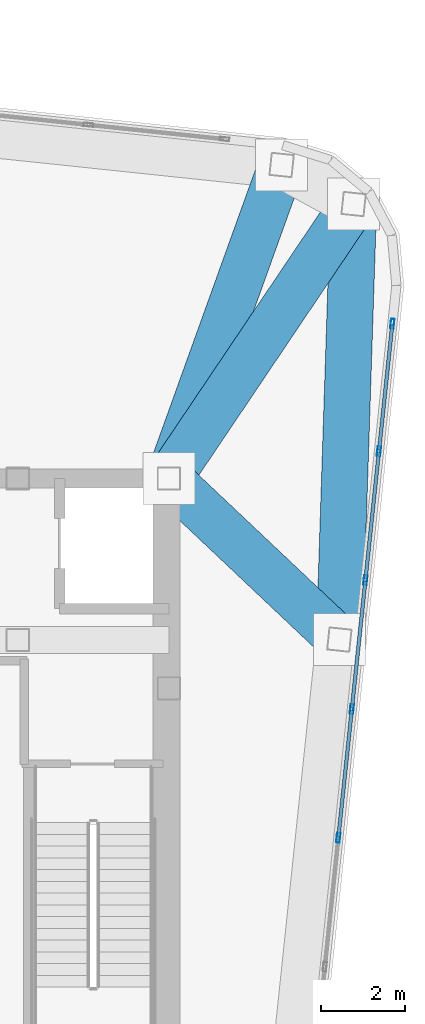
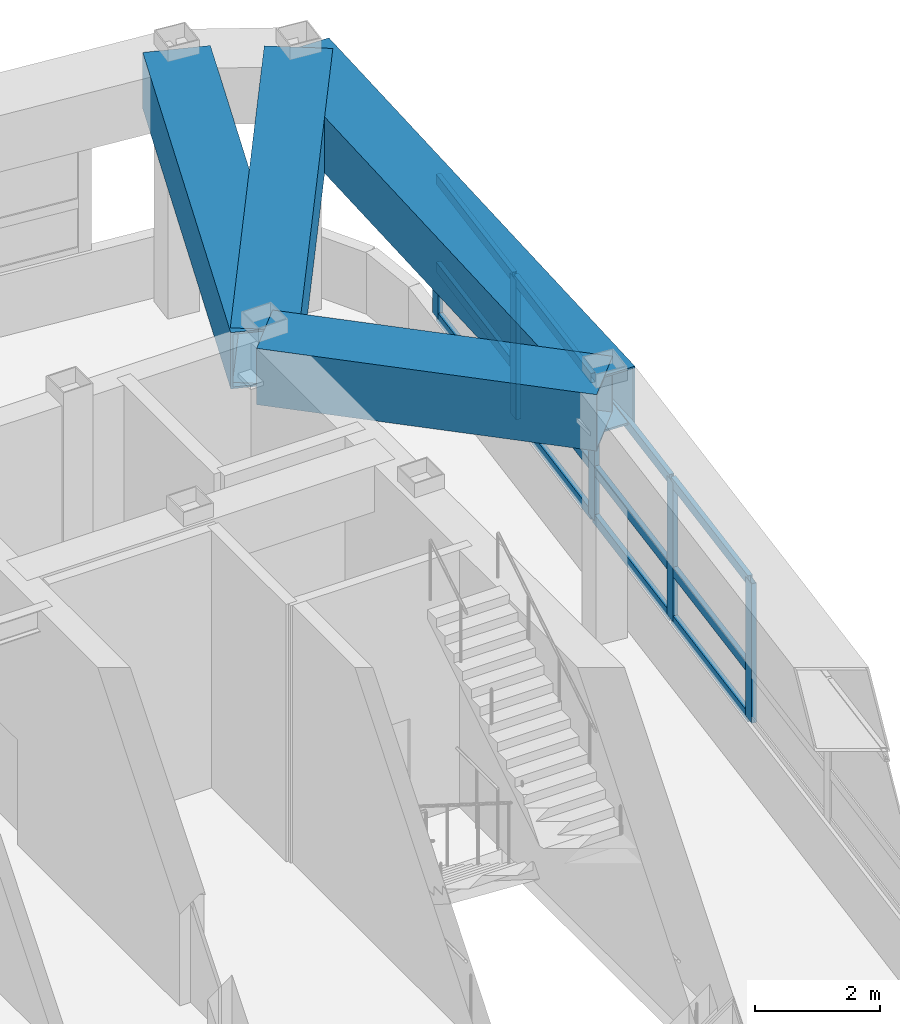
# One storey, part 13 of 23: 17 members, 4 beams, 1 element without a shape of its own.
"""IFC4 building model written with IfcOpenShell, lengths in metres."""

from ifc_helpers import new_model, si_unit, direction, frame, origin, origin_2d, place, context, subcontext, project, spatial, hollow_rectangle, extrude, material, layer, layer_set, material_profile, profile_set, type_object, element, aggregate, save


model = new_model("IFC4")

# Units and contexts
model_context = context("Model", 3, precision=1e-05, world=origin(), true_north=direction((0.0, 1.0)))
body_context = subcontext(model_context, "Body", "Model", "MODEL_VIEW")
ifc_project = project(units=[si_unit("LENGTHUNIT", "METRE"), si_unit("AREAUNIT", "SQUARE_METRE"), si_unit("VOLUMEUNIT", "CUBIC_METRE"), si_unit("PLANEANGLEUNIT", "RADIAN"), si_unit("MASSUNIT", "GRAM", prefix="KILO")], contexts=[model_context])

# Site, building, storey
site_placement = place(None, origin())
site = spatial("IfcSite", under=ifc_project, at=site_placement, CompositionType="ELEMENT")
building_placement = place(site_placement, origin())
building = spatial("IfcBuilding", under=site, at=building_placement, Name="Voryun Gate Residences", CompositionType="ELEMENT")
storey_placement = place(building_placement, frame((0.0, 0.0, 316.0)))
storey = spatial("IfcBuildingStorey", under=building, at=storey_placement, Name="L78", CompositionType="ELEMENT", Elevation=316.0)

# Beams
ifc_material_1 = material(Name="Steel SM420", Category="steel")
ifc_material_profile_1 = material_profile(ifc_material_1, hollow_rectangle(XDim=1.10009765625, YDim=1.10009765625, WallThickness=0.035888671875, at=origin_2d()), Name="BOX-1100x1100x36")
ifc_profile_set_1 = profile_set([ifc_material_profile_1], Name="Steel SM420")
beam_type = type_object("IfcBeamType", Name="BM_ARCH_RIB", PredefinedType="USERDEFINED", material=ifc_profile_set_1)
beam_1_placement = place(storey_placement, frame((23.263916015625, 3.56201171875, 4.47509765625), z_axis=(0.032727694972, 0.999464305507, 0.0), x_axis=(-0.999464305507, 0.032727694972, 0.0)))
element("IfcBeam", 1, at=beam_1_placement, inside=storey, type_object=beam_type, Name="BM-L78-SPAND-09", ObjectType="GIRDER", PredefinedType="USERDEFINED", context=body_context, shape_type="SweptSolid", body=[
    extrude(hollow_rectangle(XDim=1.10009765625, YDim=1.10009765625, WallThickness=0.035888671875, at=origin_2d()), origin(), (0.0, 0.0, 1.0), 10.384033203125),
])
beam_2_placement = place(storey_placement, frame((19.199951171875, 7.39990234375, 4.47509765625), z_axis=(0.727039799683, -0.686595317255, 0.0), x_axis=(0.686595317255, 0.727039799683, 0.0)))
element("IfcBeam", 2, at=beam_2_placement, inside=storey, type_object=beam_type, Name="BM-L78-RAD-E2", ObjectType="GIRDER", PredefinedType="USERDEFINED", context=body_context, shape_type="SweptSolid", body=[
    extrude(hollow_rectangle(XDim=1.10009765625, YDim=1.10009765625, WallThickness=0.035888671875, at=origin_2d()), origin(), (0.0, 0.0, 1.0), 5.58984375),
])
beam_3_placement = place(storey_placement, frame((19.199951171875, 7.39990234375, 4.47509765625), z_axis=(0.558509953657, 0.829497818964, 0.0), x_axis=(-0.829497818964, 0.558509953657, 0.0)))
element("IfcBeam", 3, at=beam_3_placement, inside=storey, type_object=beam_type, Name="BM-L78-RAD-CNE", ObjectType="GIRDER", PredefinedType="USERDEFINED", context=body_context, shape_type="SweptSolid", body=[
    extrude(hollow_rectangle(XDim=1.10009765625, YDim=1.10009765625, WallThickness=0.035888671875, at=origin_2d()), origin(), (0.0, 0.0, 1.0), 7.885009765625),
])
beam_4_placement = place(storey_placement, frame((19.199951171875, 7.39990234375, 4.47509765625), z_axis=(0.338588822794, 0.940934433996, 0.0), x_axis=(-0.940934433996, 0.338588822794, 0.0)))
element("IfcBeam", 4, at=beam_4_placement, inside=storey, type_object=beam_type, Name="BM-L78-RAD-N1", ObjectType="GIRDER", PredefinedType="USERDEFINED", context=body_context, shape_type="SweptSolid", body=[
    extrude(hollow_rectangle(XDim=1.10009765625, YDim=1.10009765625, WallThickness=0.035888671875, at=origin_2d()), origin(), (0.0, 0.0, 1.0), 7.94091796875),
])

# Curtain wall, members
ifc_material_2 = material(Name="Anodised aluminium", Category="aluminium")
ifc_layer = layer(ifc_material_2, 0.22998046875, Name="CW_SYS_LANTERN_DARK_GLASS")
ifc_layer_set = layer_set([ifc_layer], Name="Anodised aluminium")
curtain_wall_type = type_object("IfcCurtainWallType", Name="CW_SYS_LANTERN_DARK_GLASS", PredefinedType="NOTDEFINED", material=ifc_layer_set)
curtain_wall_placement = place(storey_placement, origin())
curtain_wall = element("IfcCurtainWall", 5, at=curtain_wall_placement, inside=storey, type_object=curtain_wall_type, Name="Curtain wall CW6-L78-16", PredefinedType="NOTDEFINED")
ifc_material_3 = material(Name="Anodised aluminium", Category="aluminium")
ifc_material_profile_2 = material_profile(ifc_material_3, hollow_rectangle(XDim=0.0849609375, YDim=0.22998046875, WallThickness=0.006103515625, at=origin_2d()), Name="ALU-MULL-230x85x6")
ifc_profile_set_2 = profile_set([ifc_material_profile_2], Name="Anodised aluminium")
member_type_1 = type_object("IfcMemberType", Name="CW_MULL_LANT", PredefinedType="MULLION", material=ifc_profile_set_2)
member_1_placement = place(storey_placement, frame((24.52783203125, 11.090576171875, 1.18994140625), z_axis=(0.0, 0.0, 1.0), x_axis=(0.994521943608, -0.104528004296, 0.0)))
member_1 = element("IfcMember", 6, at=member_1_placement, type_object=member_type_1, Name="CW6 mullion 1", PredefinedType="MULLION", context=body_context, shape_type="SweptSolid", body=[
    extrude(hollow_rectangle(XDim=0.0849609375, YDim=0.22998046875, WallThickness=0.006103515625, at=origin_2d()), origin(), (0.0, 0.0, 1.0), 2.72509765625),
])
member_2_placement = place(storey_placement, frame((24.208251953125, 8.04931640625, 1.18994140625), z_axis=(0.0, 0.0, 1.0), x_axis=(0.994521943608, -0.104528004296, 0.0)))
member_2 = element("IfcMember", 7, at=member_2_placement, type_object=member_type_1, Name="CW6 mullion 2", PredefinedType="MULLION", context=body_context, shape_type="SweptSolid", body=[
    extrude(hollow_rectangle(XDim=0.0849609375, YDim=0.22998046875, WallThickness=0.006103515625, at=origin_2d()), origin(), (0.0, 0.0, 1.0), 2.72509765625),
])
member_3_placement = place(storey_placement, frame((23.885498046875, 4.978515625, 1.18994140625), z_axis=(0.0, 0.0, 1.0), x_axis=(0.994521943608, -0.104528004296, 0.0)))
member_3 = element("IfcMember", 8, at=member_3_placement, type_object=member_type_1, Name="CW6 mullion 3", PredefinedType="MULLION", context=body_context, shape_type="SweptSolid", body=[
    extrude(hollow_rectangle(XDim=0.0849609375, YDim=0.22998046875, WallThickness=0.006103515625, at=origin_2d()), origin(), (0.0, 0.0, 1.0), 2.72509765625),
])
member_4_placement = place(storey_placement, frame((23.562744140625, 1.907470703125, 1.18994140625), z_axis=(0.0, 0.0, 1.0), x_axis=(0.994521943608, -0.104528004296, 0.0)))
member_4 = element("IfcMember", 9, at=member_4_placement, type_object=member_type_1, Name="CW6 mullion 4", PredefinedType="MULLION", context=body_context, shape_type="SweptSolid", body=[
    extrude(hollow_rectangle(XDim=0.0849609375, YDim=0.22998046875, WallThickness=0.006103515625, at=origin_2d()), origin(), (0.0, 0.0, 1.0), 2.72509765625),
])
member_5_placement = place(storey_placement, frame((23.239990234375, -1.163330078125, 1.18994140625), z_axis=(0.0, 0.0, 1.0), x_axis=(0.994521943608, -0.104528004296, 0.0)))
member_5 = element("IfcMember", 10, at=member_5_placement, type_object=member_type_1, Name="CW6 mullion 5", PredefinedType="MULLION", context=body_context, shape_type="SweptSolid", body=[
    extrude(hollow_rectangle(XDim=0.0849609375, YDim=0.22998046875, WallThickness=0.006103515625, at=origin_2d()), origin(), (0.0, 0.0, 1.0), 2.72509765625),
])
ifc_material_4 = material(Name="Anodised aluminium", Category="aluminium")
ifc_material_profile_3 = material_profile(ifc_material_4, hollow_rectangle(XDim=0.0849609375, YDim=0.18994140625, WallThickness=0.006103515625, at=origin_2d()), Name="ALU-TRAN-190x85x6")
ifc_profile_set_3 = profile_set([ifc_material_profile_3], Name="Anodised aluminium")
member_type_2 = type_object("IfcMemberType", Name="CW_TRAN_LANT", PredefinedType="USERDEFINED", material=ifc_profile_set_3)
member_6_placement = place(storey_placement, frame((24.524658203125, 11.060546875, 1.219970703125), z_axis=(-0.104485537102, -0.994526406153, 0.0), x_axis=(0.994526406153, -0.104485537102, 0.0)))
member_6 = element("IfcMember", 11, at=member_6_placement, type_object=member_type_2, Name="CW6 transom 1.1", ObjectType="TRANSOM", PredefinedType="USERDEFINED", context=body_context, shape_type="SweptSolid", body=[
    extrude(hollow_rectangle(XDim=0.0849609375, YDim=0.18994140625, WallThickness=0.006103515625, at=origin_2d()), origin(), (0.0, 0.0, 1.0), 2.997802734375),
])
member_7_placement = place(storey_placement, frame((24.524658203125, 11.060546875, 2.1708984375), z_axis=(-0.104485537102, -0.994526406153, 0.0), x_axis=(0.994526406153, -0.104485537102, 0.0)))
member_7 = element("IfcMember", 12, at=member_7_placement, type_object=member_type_2, Name="CW6 transom 1.2", ObjectType="TRANSOM", PredefinedType="USERDEFINED", context=body_context, shape_type="SweptSolid", body=[
    extrude(hollow_rectangle(XDim=0.0849609375, YDim=0.18994140625, WallThickness=0.006103515625, at=origin_2d()), origin(), (0.0, 0.0, 1.0), 2.997802734375),
])
member_8_placement = place(storey_placement, frame((24.524658203125, 11.060546875, 3.885009765625), z_axis=(-0.104485537102, -0.994526406153, 0.0), x_axis=(0.994526406153, -0.104485537102, 0.0)))
member_8 = element("IfcMember", 13, at=member_8_placement, type_object=member_type_2, Name="CW6 transom 1.3", ObjectType="TRANSOM", PredefinedType="USERDEFINED", context=body_context, shape_type="SweptSolid", body=[
    extrude(hollow_rectangle(XDim=0.0849609375, YDim=0.18994140625, WallThickness=0.006103515625, at=origin_2d()), origin(), (0.0, 0.0, 1.0), 2.997802734375),
])
member_9_placement = place(storey_placement, frame((24.205078125, 8.01953125, 1.219970703125), z_axis=(-0.104500100479, -0.994524876009, 0.0), x_axis=(0.994524876009, -0.104500100479, 0.0)))
member_9 = element("IfcMember", 14, at=member_9_placement, type_object=member_type_2, Name="CW6 transom 2.1", ObjectType="TRANSOM", PredefinedType="USERDEFINED", context=body_context, shape_type="SweptSolid", body=[
    extrude(hollow_rectangle(XDim=0.0849609375, YDim=0.18994140625, WallThickness=0.006103515625, at=origin_2d()), origin(), (0.0, 0.0, 1.0), 3.02783203125),
])
member_10_placement = place(storey_placement, frame((24.205078125, 8.01953125, 2.1708984375), z_axis=(-0.104500100479, -0.994524876009, 0.0), x_axis=(0.994524876009, -0.104500100479, 0.0)))
member_10 = element("IfcMember", 15, at=member_10_placement, type_object=member_type_2, Name="CW6 transom 2.2", ObjectType="TRANSOM", PredefinedType="USERDEFINED", context=body_context, shape_type="SweptSolid", body=[
    extrude(hollow_rectangle(XDim=0.0849609375, YDim=0.18994140625, WallThickness=0.006103515625, at=origin_2d()), origin(), (0.0, 0.0, 1.0), 3.02783203125),
])
member_11_placement = place(storey_placement, frame((24.205078125, 8.01953125, 3.885009765625), z_axis=(-0.104500100479, -0.994524876009, 0.0), x_axis=(0.994524876009, -0.104500100479, 0.0)))
member_11 = element("IfcMember", 16, at=member_11_placement, type_object=member_type_2, Name="CW6 transom 2.3", ObjectType="TRANSOM", PredefinedType="USERDEFINED", context=body_context, shape_type="SweptSolid", body=[
    extrude(hollow_rectangle(XDim=0.0849609375, YDim=0.18994140625, WallThickness=0.006103515625, at=origin_2d()), origin(), (0.0, 0.0, 1.0), 3.02783203125),
])
member_12_placement = place(storey_placement, frame((23.88232421875, 4.948486328125, 1.219970703125), z_axis=(-0.104500100479, -0.994524876009, 0.0), x_axis=(0.994524876009, -0.104500100479, 0.0)))
member_12 = element("IfcMember", 17, at=member_12_placement, type_object=member_type_2, Name="CW6 transom 3.1", ObjectType="TRANSOM", PredefinedType="USERDEFINED", context=body_context, shape_type="SweptSolid", body=[
    extrude(hollow_rectangle(XDim=0.0849609375, YDim=0.18994140625, WallThickness=0.006103515625, at=origin_2d()), origin(), (0.0, 0.0, 1.0), 3.02783203125),
])
member_13_placement = place(storey_placement, frame((23.88232421875, 4.948486328125, 2.1708984375), z_axis=(-0.104500100479, -0.994524876009, 0.0), x_axis=(0.994524876009, -0.104500100479, 0.0)))
member_13 = element("IfcMember", 18, at=member_13_placement, type_object=member_type_2, Name="CW6 transom 3.2", ObjectType="TRANSOM", PredefinedType="USERDEFINED", context=body_context, shape_type="SweptSolid", body=[
    extrude(hollow_rectangle(XDim=0.0849609375, YDim=0.18994140625, WallThickness=0.006103515625, at=origin_2d()), origin(), (0.0, 0.0, 1.0), 3.02783203125),
])
member_14_placement = place(storey_placement, frame((23.88232421875, 4.948486328125, 3.885009765625), z_axis=(-0.104500100479, -0.994524876009, 0.0), x_axis=(0.994524876009, -0.104500100479, 0.0)))
member_14 = element("IfcMember", 19, at=member_14_placement, type_object=member_type_2, Name="CW6 transom 3.3", ObjectType="TRANSOM", PredefinedType="USERDEFINED", context=body_context, shape_type="SweptSolid", body=[
    extrude(hollow_rectangle(XDim=0.0849609375, YDim=0.18994140625, WallThickness=0.006103515625, at=origin_2d()), origin(), (0.0, 0.0, 1.0), 3.02783203125),
])
member_15_placement = place(storey_placement, frame((23.5595703125, 1.877685546875, 1.219970703125), z_axis=(-0.104500100479, -0.994524876009, 0.0), x_axis=(0.994524876009, -0.104500100479, 0.0)))
member_15 = element("IfcMember", 20, at=member_15_placement, type_object=member_type_2, Name="CW6 transom 4.1", ObjectType="TRANSOM", PredefinedType="USERDEFINED", context=body_context, shape_type="SweptSolid", body=[
    extrude(hollow_rectangle(XDim=0.0849609375, YDim=0.18994140625, WallThickness=0.006103515625, at=origin_2d()), origin(), (0.0, 0.0, 1.0), 3.02783203125),
])
member_16_placement = place(storey_placement, frame((23.5595703125, 1.877685546875, 2.1708984375), z_axis=(-0.104500100479, -0.994524876009, 0.0), x_axis=(0.994524876009, -0.104500100479, 0.0)))
member_16 = element("IfcMember", 21, at=member_16_placement, type_object=member_type_2, Name="CW6 transom 4.2", ObjectType="TRANSOM", PredefinedType="USERDEFINED", context=body_context, shape_type="SweptSolid", body=[
    extrude(hollow_rectangle(XDim=0.0849609375, YDim=0.18994140625, WallThickness=0.006103515625, at=origin_2d()), origin(), (0.0, 0.0, 1.0), 3.02783203125),
])
member_17_placement = place(storey_placement, frame((23.5595703125, 1.877685546875, 3.885009765625), z_axis=(-0.104500100479, -0.994524876009, 0.0), x_axis=(0.994524876009, -0.104500100479, 0.0)))
member_17 = element("IfcMember", 22, at=member_17_placement, type_object=member_type_2, Name="CW6 transom 4.3", ObjectType="TRANSOM", PredefinedType="USERDEFINED", context=body_context, shape_type="SweptSolid", body=[
    extrude(hollow_rectangle(XDim=0.0849609375, YDim=0.18994140625, WallThickness=0.006103515625, at=origin_2d()), origin(), (0.0, 0.0, 1.0), 3.02783203125),
])
aggregate(curtain_wall, [member_1, member_2, member_3, member_4, member_5, member_6, member_7, member_8, member_9, member_10, member_11, member_12, member_13, member_14, member_15, member_16, member_17])

save(model, "model.ifc")
